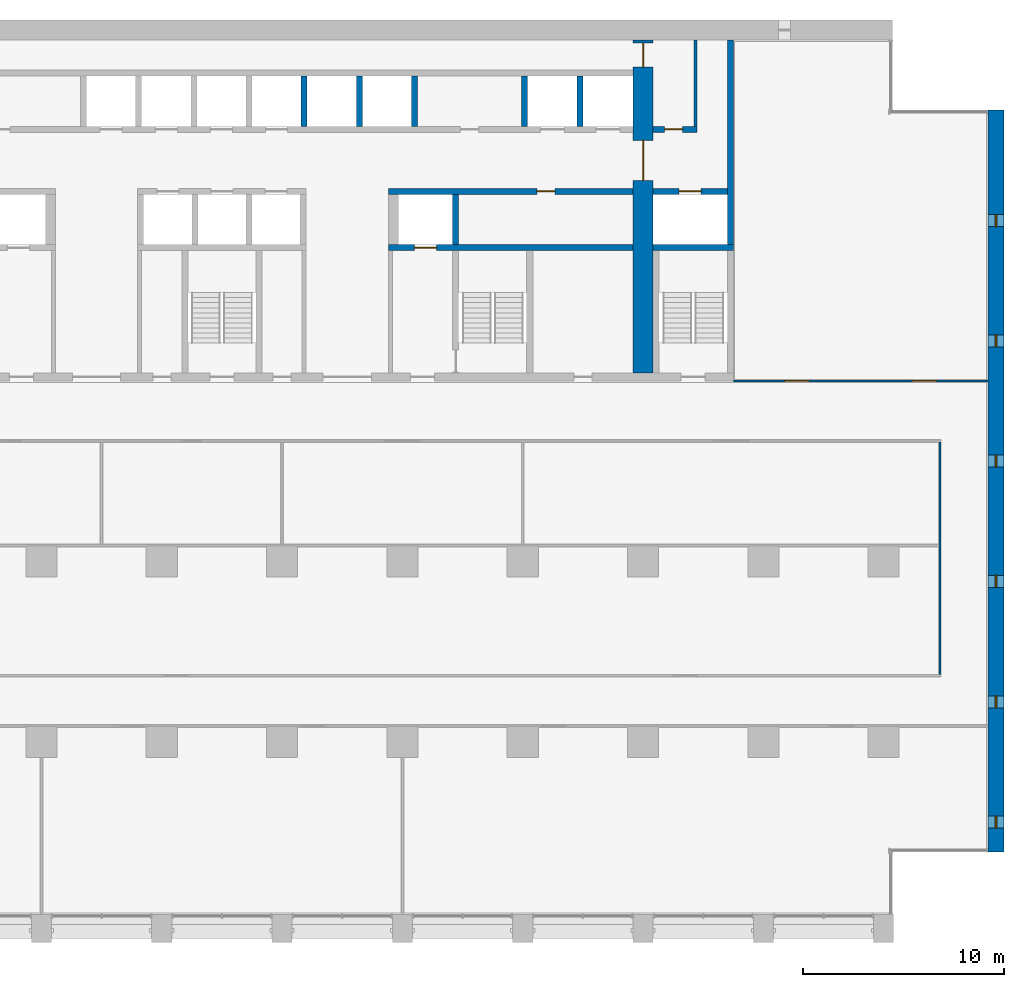
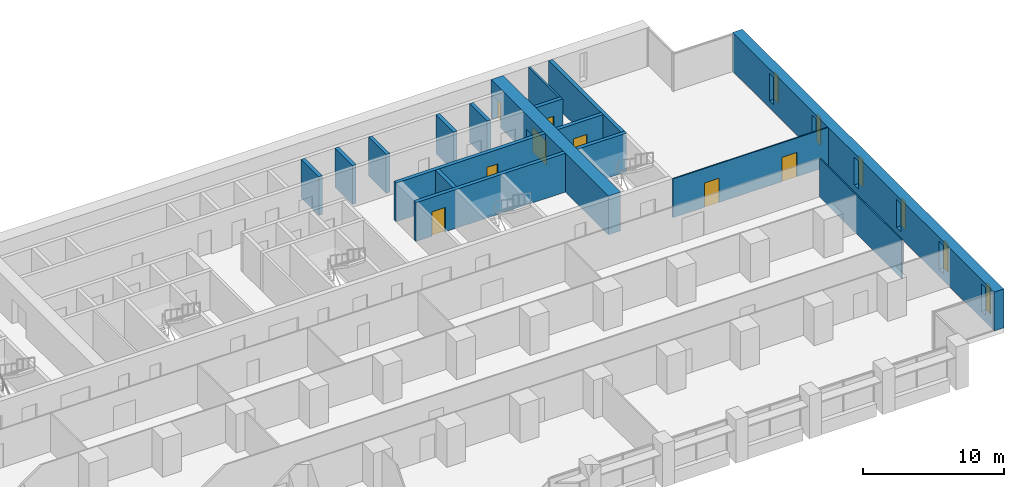
# One storey, part 13 of 17: 17 walls, 8 doors, 6 windows, 14 openings.
"""IFC4 building model written with IfcOpenShell, lengths in metres."""

from ifc_helpers import new_model, si_unit, direction, frame, frame_2d, origin, place, context, subcontext, project, spatial, rectangle, extrude, material, layer, layer_set, type_object, element, fill, save


model = new_model("IFC4")

# Units and contexts
model_context = context("Model", 3, precision=1e-05, world=origin(), true_north=direction((0.0, 1.0)))
body_context = subcontext(model_context, "Body", "Model", "MODEL_VIEW")
ifc_project = project(units=[si_unit("LENGTHUNIT", "METRE"), si_unit("AREAUNIT", "SQUARE_METRE"), si_unit("VOLUMEUNIT", "CUBIC_METRE"), si_unit("PLANEANGLEUNIT", "RADIAN"), si_unit("MASSUNIT", "GRAM", prefix="KILO")], contexts=[model_context])

# Site, building, storey
site_placement = place(None, origin())
site = spatial("IfcSite", under=ifc_project, at=site_placement, CompositionType="ELEMENT")
building_placement = place(site_placement, origin())
building = spatial("IfcBuilding", under=site, at=building_placement, Name="Calvaro Tower", CompositionType="ELEMENT")
storey_placement = place(building_placement, frame((0.0, 0.0, 71.25)))
storey = spatial("IfcBuildingStorey", under=building, at=storey_placement, Name="L17", CompositionType="ELEMENT", Elevation=71.25)

# Wall
ifc_material_1 = material(Name="Blockwork partition", Category="masonry")
ifc_layer_1 = layer(ifc_material_1, 0.14990234375)
ifc_layer_set_1 = layer_set([ifc_layer_1], Name="Blockwork partition")
wall_type_1 = type_object("IfcWallType", Name="Core partition 150 REI 120", PredefinedType="PARTITIONING", material=ifc_layer_set_1)
wall_1_placement = place(storey_placement, frame((62.625, 40.699951171875, 0.0), z_axis=(0.0, 0.0, 1.0), x_axis=(0.0, 1.0, 0.0)))
element("IfcWall", 1, at=wall_1_placement, inside=storey, type_object=wall_type_1, Name="Core partition", PredefinedType="PARTITIONING", context=body_context, shape_type="SweptSolid", body=[
    extrude(rectangle(XDim=4.300048828125, YDim=0.14990234375, at=frame_2d((2.14990234375, 0.0))), origin(), (0.0, 0.0, 1.0), 3.35009765625),
])

# Wall, opening, door
ifc_material_2 = material(Name="Blockwork partition", Category="masonry")
ifc_layer_2 = layer(ifc_material_2, 0.300048828125)
ifc_layer_set_2 = layer_set([ifc_layer_2], Name="Blockwork partition")
wall_type_2 = type_object("IfcWallType", Name="Core partition 300 REI 120", PredefinedType="PARTITIONING", material=ifc_layer_set_2)
wall_2_placement = place(storey_placement, frame((60.5, 40.550048828125, 0.0), z_axis=(0.0, 0.0, 1.0), x_axis=(1.0, 0.0, 0.0)))
wall_2 = element("IfcWall", 2, at=wall_2_placement, inside=storey, type_object=wall_type_2, Name="Core partition", PredefinedType="PARTITIONING", context=body_context, shape_type="SweptSolid", body=[
    extrude(rectangle(XDim=2.199951171875, YDim=0.300048828125, at=frame_2d((1.10009765625, 0.0))), origin(), (0.0, 0.0, 1.0), 3.35009765625),
])
opening_1_placement = place(wall_2_placement, frame((0.574951171875, 0.0, 0.0)))
opening_1 = element("IfcOpeningElement", 3, at=opening_1_placement, cuts=wall_2, Name="Opening RD9C", PredefinedType="OPENING", context=body_context, shape_type="SweptSolid", body=[
    extrude(rectangle(XDim=0.89990234375, YDim=2.10009765625, at=frame_2d((0.449951171875, 1.050048828125))), frame((0.0, 0.159912109375, 0.0), z_axis=(0.0, -1.0, 0.0), x_axis=(1.0, 0.0, 0.0)), (0.0, 0.0, 1.0), 0.320068359375),
])
ifc_material_3 = material(Name="Steel door set", Category="steel")
door_type_1 = type_object("IfcDoorType", Name="Room door 900 FD30", OperationType="SINGLE_SWING_LEFT", PredefinedType="DOOR", material=ifc_material_3)
door_1_placement = place(opening_1_placement, origin())
door_1 = element("IfcDoor", 4, at=door_1_placement, inside=storey, type_object=door_type_1, Name="Room door", OperationType="SINGLE_SWING_LEFT", OverallHeight=2.10009765625, OverallWidth=0.89990234375, PredefinedType="DOOR", context=body_context, shape_type="SweptSolid", body=[
    extrude(rectangle(XDim=0.89990234375, YDim=2.10009765625, at=frame_2d((0.449951171875, 1.050048828125))), frame((0.0, 0.02490234375, 0.0), z_axis=(0.0, -1.0, 0.0), x_axis=(1.0, 0.0, 0.0)), (0.0, 0.0, 1.0), 0.050048828125),
])
fill(opening_1, door_1)

# Wall, openings, doors
ifc_material_4 = material(Name="Concrete C80/95", Category="concrete")
ifc_layer_3 = layer(ifc_material_4, 1.0)
ifc_layer_set_3 = layer_set([ifc_layer_3], Name="Concrete C80/95")
wall_type_3 = type_object("IfcWallType", Name="Core wall C80/95 1000", PredefinedType="SHEAR", material=ifc_layer_set_3)
wall_3_placement = place(storey_placement, frame((60.0, 28.39990234375, 0.0), z_axis=(0.0, 0.0, 1.0), x_axis=(0.0, 1.0, 0.0)))
wall_3 = element("IfcWall", 5, at=wall_3_placement, inside=storey, type_object=wall_type_3, Name="Core wall, cross shear wall", PredefinedType="SHEAR", context=body_context, shape_type="SweptSolid", body=[
    extrude(rectangle(XDim=16.60009765625, YDim=1.0, at=frame_2d((8.300048828125, 0.0))), origin(), (0.0, 0.0, 1.0), 3.35009765625),
])
opening_2_placement = place(wall_3_placement, frame((9.60009765625, 0.0, 0.0)))
opening_2 = element("IfcOpeningElement", 6, at=opening_2_placement, cuts=wall_3, Name="Opening DD20D", PredefinedType="OPENING", context=body_context, shape_type="SweptSolid", body=[
    extrude(rectangle(XDim=2.0, YDim=2.10009765625, at=frame_2d((1.0, 1.050048828125))), frame((0.0, 0.510009765625, 0.0), z_axis=(0.0, -1.0, 0.0), x_axis=(1.0, 0.0, 0.0)), (0.0, 0.0, 1.0), 1.02001953125),
])
opening_3_placement = place(wall_3_placement, frame((15.25, 0.0, 0.0)))
opening_3 = element("IfcOpeningElement", 7, at=opening_3_placement, cuts=wall_3, Name="Opening FD12C", PredefinedType="OPENING", context=body_context, shape_type="SweptSolid", body=[
    extrude(rectangle(XDim=1.199951171875, YDim=2.10009765625, at=frame_2d((0.60009765625, 1.050048828125))), frame((0.0, 0.510009765625, 0.0), z_axis=(0.0, -1.0, 0.0), x_axis=(1.0, 0.0, 0.0)), (0.0, 0.0, 1.0), 1.02001953125),
])
ifc_material_5 = material(Name="Steel door set", Category="steel")
door_type_2 = type_object("IfcDoorType", Name="Fire door 1200 FD30", OperationType="SINGLE_SWING_LEFT", PredefinedType="DOOR", material=ifc_material_5)
door_2_placement = place(opening_3_placement, origin())
door_2 = element("IfcDoor", 8, at=door_2_placement, inside=storey, type_object=door_type_2, Name="Fire door", OperationType="SINGLE_SWING_LEFT", OverallHeight=2.10009765625, OverallWidth=1.199951171875, PredefinedType="DOOR", context=body_context, shape_type="SweptSolid", body=[
    extrude(rectangle(XDim=1.199951171875, YDim=2.10009765625, at=frame_2d((0.60009765625, 1.050048828125))), frame((0.0, 0.02490234375, 0.0), z_axis=(0.0, -1.0, 0.0), x_axis=(1.0, 0.0, 0.0)), (0.0, 0.0, 1.0), 0.050048828125),
])
fill(opening_3, door_2)
ifc_material_6 = material(Name="Steel door set", Category="steel")
door_type_3 = type_object("IfcDoorType", Name="Lobby double door 2000 FD30S", OperationType="DOUBLE_DOOR_SINGLE_SWING", PredefinedType="DOOR", material=ifc_material_6)
door_3_placement = place(opening_2_placement, origin())
door_3 = element("IfcDoor", 9, at=door_3_placement, inside=storey, type_object=door_type_3, Name="Lobby double door", OperationType="DOUBLE_DOOR_SINGLE_SWING", OverallHeight=2.10009765625, OverallWidth=2.0, PredefinedType="DOOR", context=body_context, shape_type="SweptSolid", body=[
    extrude(rectangle(XDim=2.0, YDim=2.10009765625, at=frame_2d((1.0, 1.050048828125))), frame((0.0, 0.02490234375, 0.0), z_axis=(0.0, -1.0, 0.0), x_axis=(1.0, 0.0, 0.0)), (0.0, 0.0, 1.0), 0.050048828125),
])
fill(opening_2, door_3)

# Wall
ifc_material_7 = material(Name="Concrete C80/95", Category="concrete")
ifc_layer_4 = layer(ifc_material_7, 0.300048828125)
ifc_layer_set_4 = layer_set([ifc_layer_4], Name="Concrete C80/95")
wall_type_4 = type_object("IfcWallType", Name="Core wall C80/95 300", PredefinedType="SHEAR", material=ifc_layer_set_4)
wall_4_placement = place(storey_placement, frame((64.35009765625, 34.800048828125, 0.0), z_axis=(0.0, 0.0, 1.0), x_axis=(0.0, 1.0, 0.0)))
element("IfcWall", 10, at=wall_4_placement, inside=storey, type_object=wall_type_4, Name="Core wall, boundary", PredefinedType="SHEAR", context=body_context, shape_type="SweptSolid", body=[
    extrude(rectangle(XDim=10.199951171875, YDim=0.300048828125, at=frame_2d((5.10009765625, 0.0))), origin(), (0.0, 0.0, 1.0), 3.35009765625),
])

# Wall, opening, door
wall_5_placement = place(storey_placement, frame((47.300048828125, 34.64990234375, 0.0), z_axis=(0.0, 0.0, 1.0), x_axis=(1.0, 0.0, 0.0)))
wall_5 = element("IfcWall", 11, at=wall_5_placement, inside=storey, type_object=wall_type_4, Name="Core wall, lift shaft", PredefinedType="SHEAR", context=body_context, shape_type="SweptSolid", body=[
    extrude(rectangle(XDim=12.199951171875, YDim=0.300048828125, at=frame_2d((6.10009765625, 0.0))), origin(), (0.0, 0.0, 1.0), 3.35009765625),
])
opening_4_placement = place(wall_5_placement, frame((1.300048828125, 0.0, 0.0)))
opening_4 = element("IfcOpeningElement", 12, at=opening_4_placement, cuts=wall_5, Name="Opening FF2", PredefinedType="OPENING", context=body_context, shape_type="SweptSolid", body=[
    extrude(rectangle(XDim=1.10009765625, YDim=2.10009765625, at=frame_2d((0.550048828125, 1.050048828125))), frame((0.0, 0.159912109375, 0.0), z_axis=(0.0, -1.0, 0.0), x_axis=(1.0, 0.0, 0.0)), (0.0, 0.0, 1.0), 0.320068359375),
])
ifc_material_8 = material(Name="Stainless steel", Category="steel")
door_type_4 = type_object("IfcDoorType", Name="Landing door 1100 E 60", OperationType="SLIDING_TO_LEFT", PredefinedType="DOOR", material=ifc_material_8)
door_4_placement = place(opening_4_placement, origin())
door_4 = element("IfcDoor", 13, at=door_4_placement, inside=storey, type_object=door_type_4, Name="Landing door FF2", OperationType="SLIDING_TO_LEFT", OverallHeight=2.10009765625, OverallWidth=1.10009765625, PredefinedType="DOOR", context=body_context, shape_type="SweptSolid", body=[
    extrude(rectangle(XDim=1.10009765625, YDim=2.10009765625, at=frame_2d((0.550048828125, 1.050048828125))), frame((0.0, 0.02490234375, 0.0), z_axis=(0.0, -1.0, 0.0), x_axis=(1.0, 0.0, 0.0)), (0.0, 0.0, 1.0), 0.050048828125),
])
fill(opening_4, door_4)

# Wall
wall_6_placement = place(storey_placement, frame((60.5, 34.64990234375, 0.0), z_axis=(0.0, 0.0, 1.0), x_axis=(1.0, 0.0, 0.0)))
element("IfcWall", 14, at=wall_6_placement, inside=storey, type_object=wall_type_4, Name="Core wall, lift shaft", PredefinedType="SHEAR", context=body_context, shape_type="SweptSolid", body=[
    extrude(rectangle(XDim=4.0, YDim=0.300048828125, at=frame_2d((2.0, 0.0))), origin(), (0.0, 0.0, 1.0), 3.35009765625),
])

# Wall, opening, door
wall_7_placement = place(storey_placement, frame((59.5, 37.449951171875, 0.0), z_axis=(0.0, 0.0, 1.0), x_axis=(-1.0, 0.0, 0.0)))
wall_7 = element("IfcWall", 15, at=wall_7_placement, inside=storey, type_object=wall_type_4, Name="Core wall, bay", PredefinedType="SHEAR", context=body_context, shape_type="SweptSolid", body=[
    extrude(rectangle(XDim=12.199951171875, YDim=0.300048828125, at=frame_2d((6.10009765625, 0.0))), origin(), (0.0, 0.0, 1.0), 3.35009765625),
])
opening_5_placement = place(wall_7_placement, frame((3.89990234375, 0.0, 0.0)))
opening_5 = element("IfcOpeningElement", 16, at=opening_5_placement, cuts=wall_7, Name="Opening RD9E", PredefinedType="OPENING", context=body_context, shape_type="SweptSolid", body=[
    extrude(rectangle(XDim=0.89990234375, YDim=2.10009765625, at=frame_2d((0.449951171875, 1.050048828125))), frame((0.0, 0.159912109375, 0.0), z_axis=(0.0, -1.0, 0.0), x_axis=(1.0, 0.0, 0.0)), (0.0, 0.0, 1.0), 0.320068359375),
])
ifc_material_9 = material(Name="Steel door set", Category="steel")
door_type_5 = type_object("IfcDoorType", Name="Room door 900 FD60", OperationType="SINGLE_SWING_LEFT", PredefinedType="DOOR", material=ifc_material_9)
door_5_placement = place(opening_5_placement, origin())
door_5 = element("IfcDoor", 17, at=door_5_placement, inside=storey, type_object=door_type_5, Name="Room door", OperationType="SINGLE_SWING_RIGHT", OverallHeight=2.10009765625, OverallWidth=0.89990234375, PredefinedType="DOOR", context=body_context, shape_type="SweptSolid", body=[
    extrude(rectangle(XDim=0.89990234375, YDim=2.10009765625, at=frame_2d((0.449951171875, 1.050048828125))), frame((0.0, 0.02490234375, 0.0), z_axis=(0.0, -1.0, 0.0), x_axis=(1.0, 0.0, 0.0)), (0.0, 0.0, 1.0), 0.050048828125),
])
fill(opening_5, door_5)

wall_8_placement = place(storey_placement, frame((60.5, 37.449951171875, 0.0), z_axis=(0.0, 0.0, 1.0), x_axis=(1.0, 0.0, 0.0)))
wall_8 = element("IfcWall", 18, at=wall_8_placement, inside=storey, type_object=wall_type_4, Name="Core wall, lift shaft", PredefinedType="SHEAR", context=body_context, shape_type="SweptSolid", body=[
    extrude(rectangle(XDim=3.699951171875, YDim=0.300048828125, at=frame_2d((1.85009765625, 0.0))), origin(), (0.0, 0.0, 1.0), 3.35009765625),
])
opening_6_placement = place(wall_8_placement, frame((1.300048828125, 0.0, 0.0)))
opening_6 = element("IfcOpeningElement", 19, at=opening_6_placement, cuts=wall_8, Name="Opening FF3", PredefinedType="OPENING", context=body_context, shape_type="SweptSolid", body=[
    extrude(rectangle(XDim=1.10009765625, YDim=2.10009765625, at=frame_2d((0.550048828125, 1.050048828125))), frame((0.0, 0.159912109375, 0.0), z_axis=(0.0, -1.0, 0.0), x_axis=(1.0, 0.0, 0.0)), (0.0, 0.0, 1.0), 0.320068359375),
])
door_6_placement = place(opening_6_placement, origin())
door_6 = element("IfcDoor", 20, at=door_6_placement, inside=storey, type_object=door_type_4, Name="Landing door FF3", OperationType="SLIDING_TO_LEFT", OverallHeight=2.10009765625, OverallWidth=1.10009765625, PredefinedType="DOOR", context=body_context, shape_type="SweptSolid", body=[
    extrude(rectangle(XDim=1.10009765625, YDim=2.10009765625, at=frame_2d((0.550048828125, 1.050048828125))), frame((0.0, 0.02490234375, 0.0), z_axis=(0.0, -1.0, 0.0), x_axis=(1.0, 0.0, 0.0)), (0.0, 0.0, 1.0), 0.050048828125),
])
fill(opening_6, door_6)

# Walls
for number, where, z_axis, x_axis, name in (
    (21, (50.64990234375, 34.800048828125, 0.0), (0.0, 0.0, 1.0), (0.0, 1.0, 0.0), "Core wall, lift shaft"),
    (22, (43.10009765625, 40.699951171875, 0.0), (0.0, 0.0, 1.0), (0.0, 1.0, 0.0), "Core wall, lift shaft"),
    (23, (45.85009765625, 40.699951171875, 0.0), (0.0, 0.0, 1.0), (0.0, 1.0, 0.0), "Core wall, lift shaft"),
    (24, (48.60009765625, 40.699951171875, 0.0), (0.0, 0.0, 1.0), (0.0, 1.0, 0.0), "Core wall, lift shaft"),
    (25, (54.10009765625, 40.699951171875, 0.0), (0.0, 0.0, 1.0), (0.0, 1.0, 0.0), "Core wall, lift shaft"),
    (26, (56.85009765625, 40.699951171875, 0.0), (0.0, 0.0, 1.0), (0.0, 1.0, 0.0), "Core wall, lift shaft"),
):
    element("IfcWall", number, at=place(storey_placement, frame(where, z_axis=z_axis, x_axis=x_axis)), inside=storey, type_object=wall_type_4, Name=name, PredefinedType="SHEAR", context=body_context, shape_type="SweptSolid", body=[
        extrude(rectangle(XDim=2.5, YDim=0.300048828125, at=frame_2d((1.25, 0.0))), origin(), (0.0, 0.0, 1.0), 3.35009765625),
    ])

# Wall, openings, windows
ifc_material_10 = material(Name="Concrete C80/95", Category="concrete")
ifc_layer_5 = layer(ifc_material_10, 0.800048828125)
ifc_layer_set_5 = layer_set([ifc_layer_5], Name="Concrete C80/95")
wall_type_5 = type_object("IfcWallType", Name="End wall 800 C80/95", PredefinedType="SHEAR", material=ifc_layer_set_5)
wall_9_placement = place(storey_placement, frame((77.60009765625, 4.5, 0.0), z_axis=(0.0, 0.0, 1.0), x_axis=(0.0, 1.0, 0.0)))
wall_9 = element("IfcWall", 27, at=wall_9_placement, inside=storey, type_object=wall_type_5, Name="End shear wall", PredefinedType="SHEAR", context=body_context, shape_type="SweptSolid", body=[
    extrude(rectangle(XDim=37.0, YDim=0.800048828125, at=frame_2d((18.5, 0.0))), origin(), (0.0, 0.0, 1.0), 3.35009765625),
])
opening_7_placement = place(wall_9_placement, frame((1.199951171875, 0.0, 0.60009765625)))
opening_7 = element("IfcOpeningElement", 28, at=opening_7_placement, cuts=wall_9, Name="Opening WE01", PredefinedType="OPENING", context=body_context, shape_type="SweptSolid", body=[
    extrude(rectangle(XDim=0.60009765625, YDim=2.39990234375, at=frame_2d((0.300048828125, 1.199951171875))), frame((0.0, 0.409912109375, 0.0), z_axis=(0.0, -1.0, 0.0), x_axis=(1.0, 0.0, 0.0)), (0.0, 0.0, 1.0), 0.820068359375),
])
opening_8_placement = place(wall_9_placement, frame((7.199951171875, 0.0, 0.60009765625)))
opening_8 = element("IfcOpeningElement", 29, at=opening_8_placement, cuts=wall_9, Name="Opening WE02", PredefinedType="OPENING", context=body_context, shape_type="SweptSolid", body=[
    extrude(rectangle(XDim=0.60009765625, YDim=2.39990234375, at=frame_2d((0.300048828125, 1.199951171875))), frame((0.0, 0.409912109375, 0.0), z_axis=(0.0, -1.0, 0.0), x_axis=(1.0, 0.0, 0.0)), (0.0, 0.0, 1.0), 0.820068359375),
])
opening_9_placement = place(wall_9_placement, frame((13.199951171875, 0.0, 0.60009765625)))
opening_9 = element("IfcOpeningElement", 30, at=opening_9_placement, cuts=wall_9, Name="Opening WE03", PredefinedType="OPENING", context=body_context, shape_type="SweptSolid", body=[
    extrude(rectangle(XDim=0.60009765625, YDim=2.39990234375, at=frame_2d((0.300048828125, 1.199951171875))), frame((0.0, 0.409912109375, 0.0), z_axis=(0.0, -1.0, 0.0), x_axis=(1.0, 0.0, 0.0)), (0.0, 0.0, 1.0), 0.820068359375),
])
opening_10_placement = place(wall_9_placement, frame((19.199951171875, 0.0, 0.60009765625)))
opening_10 = element("IfcOpeningElement", 31, at=opening_10_placement, cuts=wall_9, Name="Opening WE04", PredefinedType="OPENING", context=body_context, shape_type="SweptSolid", body=[
    extrude(rectangle(XDim=0.60009765625, YDim=2.39990234375, at=frame_2d((0.300048828125, 1.199951171875))), frame((0.0, 0.409912109375, 0.0), z_axis=(0.0, -1.0, 0.0), x_axis=(1.0, 0.0, 0.0)), (0.0, 0.0, 1.0), 0.820068359375),
])
opening_11_placement = place(wall_9_placement, frame((25.199951171875, 0.0, 0.60009765625)))
opening_11 = element("IfcOpeningElement", 32, at=opening_11_placement, cuts=wall_9, Name="Opening WE05", PredefinedType="OPENING", context=body_context, shape_type="SweptSolid", body=[
    extrude(rectangle(XDim=0.60009765625, YDim=2.39990234375, at=frame_2d((0.300048828125, 1.199951171875))), frame((0.0, 0.409912109375, 0.0), z_axis=(0.0, -1.0, 0.0), x_axis=(1.0, 0.0, 0.0)), (0.0, 0.0, 1.0), 0.820068359375),
])
opening_12_placement = place(wall_9_placement, frame((31.199951171875, 0.0, 0.60009765625)))
opening_12 = element("IfcOpeningElement", 33, at=opening_12_placement, cuts=wall_9, Name="Opening WE06", PredefinedType="OPENING", context=body_context, shape_type="SweptSolid", body=[
    extrude(rectangle(XDim=0.60009765625, YDim=2.39990234375, at=frame_2d((0.300048828125, 1.199951171875))), frame((0.0, 0.409912109375, 0.0), z_axis=(0.0, -1.0, 0.0), x_axis=(1.0, 0.0, 0.0)), (0.0, 0.0, 1.0), 0.820068359375),
])
ifc_material_11 = material(Name="Glass", Category="glass")
window_type = type_object("IfcWindowType", Name="Slit window 600 x 2400", PartitioningType="SINGLE_PANEL", PredefinedType="WINDOW", material=ifc_material_11)
window_1_placement = place(opening_7_placement, origin())
window_1 = element("IfcWindow", 34, at=window_1_placement, inside=storey, type_object=window_type, Name="Window WE01", OverallHeight=2.39990234375, OverallWidth=0.60009765625, PartitioningType="SINGLE_PANEL", PredefinedType="WINDOW", context=body_context, shape_type="SweptSolid", body=[
    extrude(rectangle(XDim=0.60009765625, YDim=2.39990234375, at=frame_2d((0.300048828125, 1.199951171875))), frame((0.0, 0.030029296875, 0.0), z_axis=(0.0, -1.0, 0.0), x_axis=(1.0, 0.0, 0.0)), (0.0, 0.0, 1.0), 0.06005859375),
])
fill(opening_7, window_1)
window_2_placement = place(opening_8_placement, origin())
window_2 = element("IfcWindow", 35, at=window_2_placement, inside=storey, type_object=window_type, Name="Window WE02", OverallHeight=2.39990234375, OverallWidth=0.60009765625, PartitioningType="SINGLE_PANEL", PredefinedType="WINDOW", context=body_context, shape_type="SweptSolid", body=[
    extrude(rectangle(XDim=0.60009765625, YDim=2.39990234375, at=frame_2d((0.300048828125, 1.199951171875))), frame((0.0, 0.030029296875, 0.0), z_axis=(0.0, -1.0, 0.0), x_axis=(1.0, 0.0, 0.0)), (0.0, 0.0, 1.0), 0.06005859375),
])
fill(opening_8, window_2)
window_3_placement = place(opening_9_placement, origin())
window_3 = element("IfcWindow", 36, at=window_3_placement, inside=storey, type_object=window_type, Name="Window WE03", OverallHeight=2.39990234375, OverallWidth=0.60009765625, PartitioningType="SINGLE_PANEL", PredefinedType="WINDOW", context=body_context, shape_type="SweptSolid", body=[
    extrude(rectangle(XDim=0.60009765625, YDim=2.39990234375, at=frame_2d((0.300048828125, 1.199951171875))), frame((0.0, 0.030029296875, 0.0), z_axis=(0.0, -1.0, 0.0), x_axis=(1.0, 0.0, 0.0)), (0.0, 0.0, 1.0), 0.06005859375),
])
fill(opening_9, window_3)
window_4_placement = place(opening_10_placement, origin())
window_4 = element("IfcWindow", 37, at=window_4_placement, inside=storey, type_object=window_type, Name="Window WE04", OverallHeight=2.39990234375, OverallWidth=0.60009765625, PartitioningType="SINGLE_PANEL", PredefinedType="WINDOW", context=body_context, shape_type="SweptSolid", body=[
    extrude(rectangle(XDim=0.60009765625, YDim=2.39990234375, at=frame_2d((0.300048828125, 1.199951171875))), frame((0.0, 0.030029296875, 0.0), z_axis=(0.0, -1.0, 0.0), x_axis=(1.0, 0.0, 0.0)), (0.0, 0.0, 1.0), 0.06005859375),
])
fill(opening_10, window_4)
window_5_placement = place(opening_11_placement, origin())
window_5 = element("IfcWindow", 38, at=window_5_placement, inside=storey, type_object=window_type, Name="Window WE05", OverallHeight=2.39990234375, OverallWidth=0.60009765625, PartitioningType="SINGLE_PANEL", PredefinedType="WINDOW", context=body_context, shape_type="SweptSolid", body=[
    extrude(rectangle(XDim=0.60009765625, YDim=2.39990234375, at=frame_2d((0.300048828125, 1.199951171875))), frame((0.0, 0.030029296875, 0.0), z_axis=(0.0, -1.0, 0.0), x_axis=(1.0, 0.0, 0.0)), (0.0, 0.0, 1.0), 0.06005859375),
])
fill(opening_11, window_5)
window_6_placement = place(opening_12_placement, origin())
window_6 = element("IfcWindow", 39, at=window_6_placement, inside=storey, type_object=window_type, Name="Window WE06", OverallHeight=2.39990234375, OverallWidth=0.60009765625, PartitioningType="SINGLE_PANEL", PredefinedType="WINDOW", context=body_context, shape_type="SweptSolid", body=[
    extrude(rectangle(XDim=0.60009765625, YDim=2.39990234375, at=frame_2d((0.300048828125, 1.199951171875))), frame((0.0, 0.030029296875, 0.0), z_axis=(0.0, -1.0, 0.0), x_axis=(1.0, 0.0, 0.0)), (0.0, 0.0, 1.0), 0.06005859375),
])
fill(opening_12, window_6)

# Wall, openings, doors
ifc_material_12 = material(Name="Plasterboard on steel studs", Category="steel")
ifc_layer_6 = layer(ifc_material_12, 0.10009765625)
ifc_layer_set_6 = layer_set([ifc_layer_6], Name="Plasterboard on steel studs")
wall_type_6 = type_object("IfcWallType", Name="Partition 100", PredefinedType="PARTITIONING", material=ifc_layer_set_6)
wall_10_placement = place(storey_placement, frame((64.5, 28.0, 0.0), z_axis=(0.0, 0.0, 1.0), x_axis=(1.0, 0.0, 0.0)))
wall_10 = element("IfcWall", 40, at=wall_10_placement, inside=storey, type_object=wall_type_6, Name="Partition T13.W006", PredefinedType="PARTITIONING", context=body_context, shape_type="SweptSolid", body=[
    extrude(rectangle(XDim=12.699951171875, YDim=0.10009765625, at=frame_2d((6.35009765625, 0.0))), origin(), (0.0, 0.0, 1.0), 3.35009765625),
])
opening_13_placement = place(wall_10_placement, frame((2.574951171875, 0.0, 0.0)))
opening_13 = element("IfcOpeningElement", 41, at=opening_13_placement, cuts=wall_10, Name="Opening T13.017", PredefinedType="OPENING", context=body_context, shape_type="SweptSolid", body=[
    extrude(rectangle(XDim=1.199951171875, YDim=2.10009765625, at=frame_2d((0.60009765625, 1.050048828125))), frame((0.0, 0.06005859375, 0.0), z_axis=(0.0, -1.0, 0.0), x_axis=(1.0, 0.0, 0.0)), (0.0, 0.0, 1.0), 0.1201171875),
])
opening_14_placement = place(wall_10_placement, frame((8.925048828125, 0.0, 0.0)))
opening_14 = element("IfcOpeningElement", 42, at=opening_14_placement, cuts=wall_10, Name="Opening T13.018", PredefinedType="OPENING", context=body_context, shape_type="SweptSolid", body=[
    extrude(rectangle(XDim=1.199951171875, YDim=2.10009765625, at=frame_2d((0.60009765625, 1.050048828125))), frame((0.0, 0.06005859375, 0.0), z_axis=(0.0, -1.0, 0.0), x_axis=(1.0, 0.0, 0.0)), (0.0, 0.0, 1.0), 0.1201171875),
])
ifc_material_13 = material(Name="Timber", Category="wood")
door_type_6 = type_object("IfcDoorType", Name="Internal single door 1200 x 2100", OperationType="SINGLE_SWING_LEFT", PredefinedType="DOOR", material=ifc_material_13)
door_7_placement = place(opening_13_placement, origin())
door_7 = element("IfcDoor", 43, at=door_7_placement, inside=storey, type_object=door_type_6, Name="Door T13.017", OperationType="SINGLE_SWING_LEFT", OverallHeight=2.10009765625, OverallWidth=1.199951171875, PredefinedType="DOOR", context=body_context, shape_type="SweptSolid", body=[
    extrude(rectangle(XDim=1.199951171875, YDim=2.10009765625, at=frame_2d((0.60009765625, 1.050048828125))), frame((0.0, 0.02490234375, 0.0), z_axis=(0.0, -1.0, 0.0), x_axis=(1.0, 0.0, 0.0)), (0.0, 0.0, 1.0), 0.050048828125),
])
fill(opening_13, door_7)
door_8_placement = place(opening_14_placement, origin())
door_8 = element("IfcDoor", 44, at=door_8_placement, inside=storey, type_object=door_type_6, Name="Door T13.018", OperationType="SINGLE_SWING_RIGHT", OverallHeight=2.10009765625, OverallWidth=1.199951171875, PredefinedType="DOOR", context=body_context, shape_type="SweptSolid", body=[
    extrude(rectangle(XDim=1.199951171875, YDim=2.10009765625, at=frame_2d((0.60009765625, 1.050048828125))), frame((0.0, 0.02490234375, 0.0), z_axis=(0.0, -1.0, 0.0), x_axis=(1.0, 0.0, 0.0)), (0.0, 0.0, 1.0), 0.050048828125),
])
fill(opening_14, door_8)

# Wall
wall_11_placement = place(storey_placement, frame((74.800048828125, 13.35009765625, 0.0), z_axis=(0.0, 0.0, 1.0), x_axis=(0.0, 1.0, 0.0)))
element("IfcWall", 45, at=wall_11_placement, inside=storey, type_object=wall_type_6, Name="Partition T13.W016", PredefinedType="PARTITIONING", context=body_context, shape_type="SweptSolid", body=[
    extrude(rectangle(XDim=11.599853515625, YDim=0.10009765625, at=frame_2d((5.7998046875, 0.0))), origin(), (0.0, 0.0, 1.0), 3.35009765625),
])

save(model, "model.ifc")
